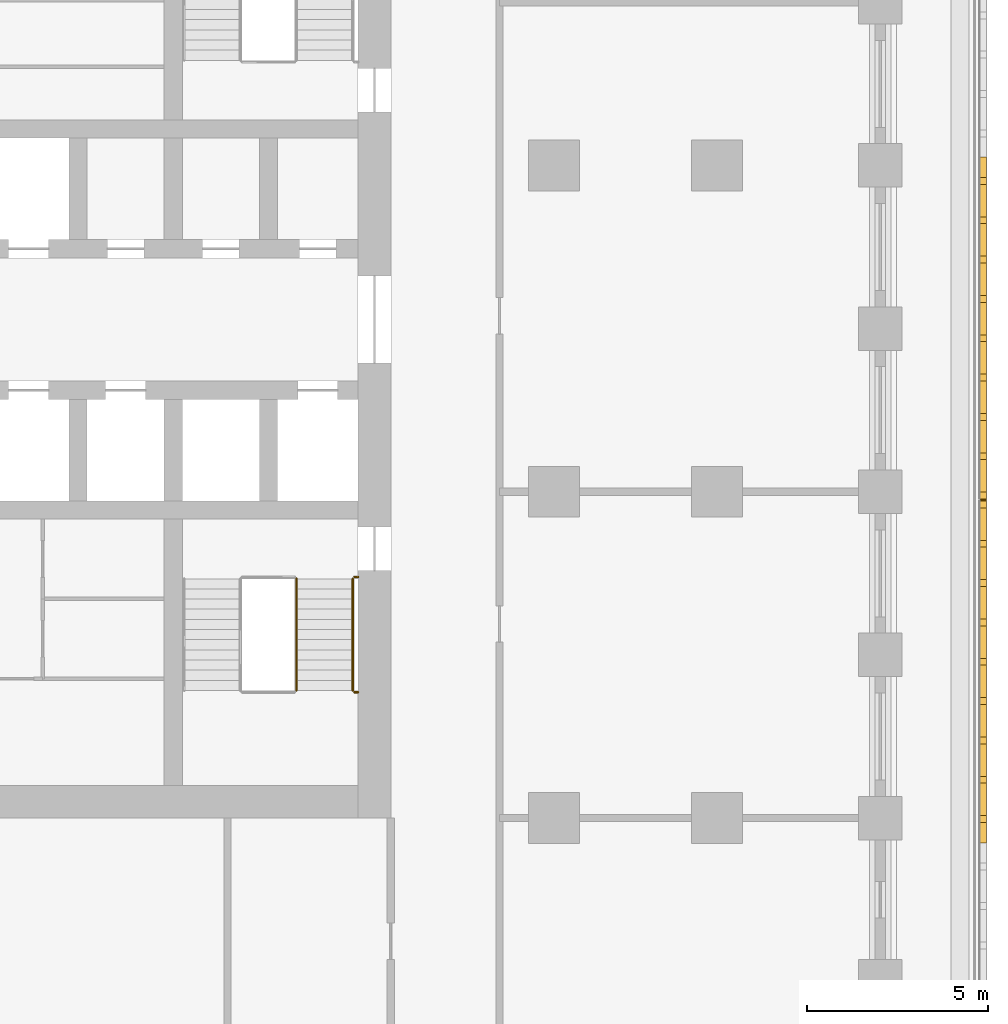
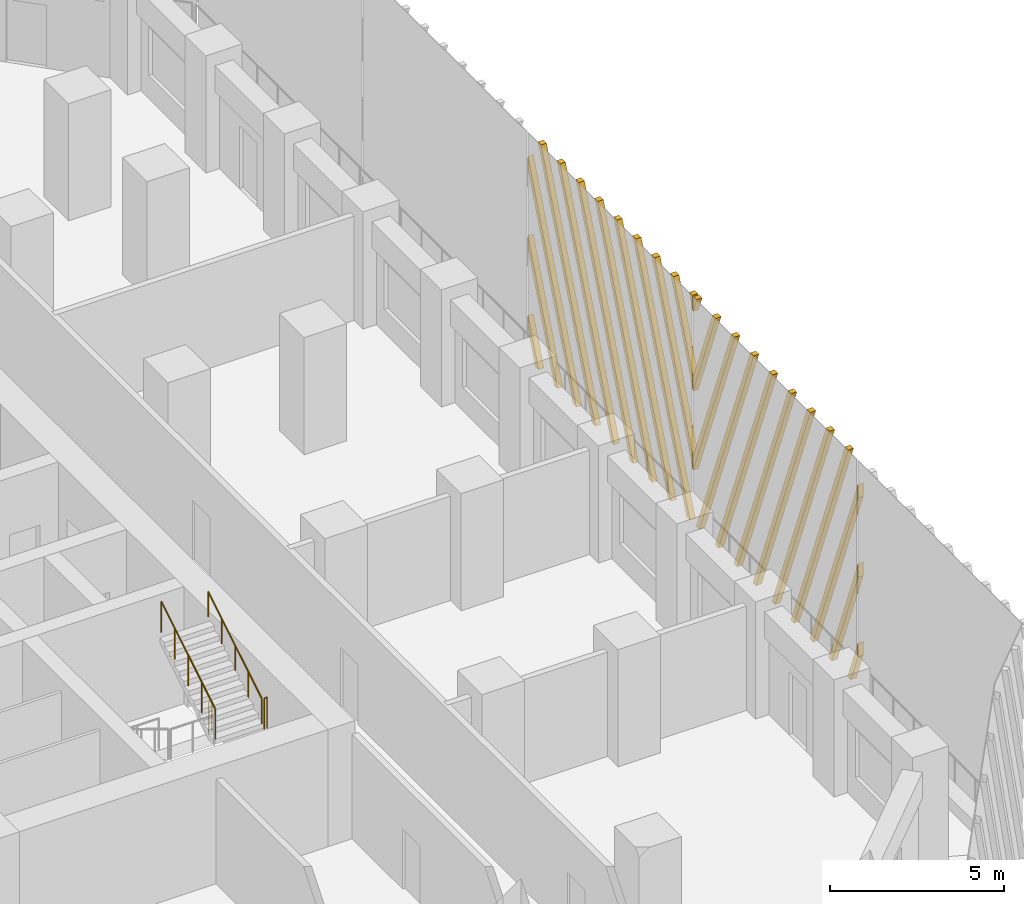
# One storey, part 13 of 19: 4 railings, 2 shading devices.
"""IFC4 building model written with IfcOpenShell, lengths in metres."""

import ifcopenshell
import ifcopenshell.guid

model = None  # the IFC model being written
_history = None  # IfcOwnerHistory: only IFC2X3 demands one
_inside = {}  # id of a spatial element -> (the spatial element, [elements in it])
_under = {}  # id of a project, library or spatial element -> (it, [spatial elements below it])
_declared = {}  # id of a project -> (the project, [libraries it declares])
_typed = {}  # id of a type object -> (the type object, [elements of that type])
_made_of = {}  # id of a material, layer set ... -> (it, [elements and type objects made of it])


def new_model(schema):
    """Start an empty IFC model of exactly this schema.

    Asked for "IFC4X3", IfcOpenShell would pick the latest addendum, in which some entities
    have other attributes; the version numbers below select the first issue.
    IFC2X3 requires an IfcOwnerHistory on every rooted entity: one is made here for all.
    """
    global model, _history
    if schema == "IFC4X3":
        model = ifcopenshell.file(schema_version=(4, 3, 0, 0))
    else:
        model = ifcopenshell.file(schema=schema)
    _inside.clear()
    _under.clear()
    _declared.clear()
    _typed.clear()
    _made_of.clear()
    _history = None
    if model.schema == "IFC2X3":
        org = make("IfcOrganization", Name="unknown")
        user = make(
            "IfcPersonAndOrganization",
            ThePerson=make("IfcPerson", FamilyName="unknown"),
            TheOrganization=org,
        )
        app = make(
            "IfcApplication",
            ApplicationDeveloper=org,
            Version="unknown",
            ApplicationFullName="unknown",
            ApplicationIdentifier="unknown",
        )
        _history = make(
            "IfcOwnerHistory",
            OwningUser=user,
            OwningApplication=app,
            ChangeAction="ADDED",
            CreationDate=0,
        )
    return model


def make(cls, **values):
    """One entity of the class cls with the attributes given. An attribute that is None is left unset."""
    return model.create_entity(
        cls, **{name: value for name, value in values.items() if value is not None}
    )


def rooted(cls, **values):
    """An entity with a GlobalId (a new one), such as an element, a storey or a relation."""
    return make(cls, GlobalId=ifcopenshell.guid.new(), OwnerHistory=_history, **values)


def si_unit(unit_type, name, prefix=None):
    """IfcSIUnit, for example si_unit("LENGTHUNIT", "METRE", prefix="MILLI")."""
    return make("IfcSIUnit", UnitType=unit_type, Prefix=prefix, Name=name)


def assignment(units):
    """IfcUnitAssignment: the units of a project."""
    return None if units is None else make("IfcUnitAssignment", Units=units)


def point(xyz):
    """IfcCartesianPoint."""
    return None if xyz is None else make("IfcCartesianPoint", Coordinates=xyz)


def direction(xyz):
    """IfcDirection."""
    return None if xyz is None else make("IfcDirection", DirectionRatios=xyz)


def frame(location, z_axis=None, x_axis=None):
    """IfcAxis2Placement3D, a coordinate frame: its origin and axes. An axis left out is left unset."""
    return make(
        "IfcAxis2Placement3D",
        Location=point(location),
        Axis=direction(z_axis),
        RefDirection=direction(x_axis),
    )


def frame_2d(location, x_axis=None):
    """IfcAxis2Placement2D, a coordinate frame in the plane: its origin and x axis."""
    return make(
        "IfcAxis2Placement2D", Location=point(location), RefDirection=direction(x_axis)
    )


def origin():
    """The frame at (0, 0, 0) with its axes left unset."""
    return frame((0.0, 0.0, 0.0))


def origin_2d():
    """The frame at (0, 0) in the plane with its x axis left unset."""
    return frame_2d((0.0, 0.0))


def place(relative_to, where):
    """IfcLocalPlacement: puts the frame where relative to a parent placement (None: the world)."""
    return make(
        "IfcLocalPlacement", PlacementRelTo=relative_to, RelativePlacement=where
    )


def context(
    kind, dimensions, precision=None, world=None, true_north=None, identifier=None
):
    """IfcGeometricRepresentationContext, for example the 3D "Model" context."""
    return make(
        "IfcGeometricRepresentationContext",
        ContextIdentifier=identifier,
        ContextType=kind,
        CoordinateSpaceDimension=dimensions,
        Precision=precision,
        WorldCoordinateSystem=world,
        TrueNorth=true_north,
    )


def subcontext(parent, identifier, kind, view, scale=None):
    """IfcGeometricRepresentationSubContext, for example "Body" below "Model"."""
    return make(
        "IfcGeometricRepresentationSubContext",
        ContextIdentifier=identifier,
        ContextType=kind,
        ParentContext=parent,
        TargetScale=scale,
        TargetView=view,
    )


def project(units=None, contexts=None):
    """IfcProject with its units and contexts."""
    return rooted(
        "IfcProject",
        Name="project",
        RepresentationContexts=contexts,
        UnitsInContext=assignment(units),
    )


def spatial(cls, under=None, at=None, **own):
    """A site, building, storey or space (cls), placed at a placement, below another one or the project."""
    s = rooted(cls, ObjectPlacement=at, **own)
    if under is not None:
        _under.setdefault(under.id(), (under, []))[1].append(s)
    return s


def polyline(points):
    """IfcPolyline through the points."""
    return make("IfcPolyline", Points=[point(p) for p in points])


def profile(cls, at=None, kind="AREA", **sizes):
    """A parametric profile (cls). Its sizes go by their IFC names, for example OverallWidth=200.0."""
    return make(cls, ProfileType=kind, Position=at, **sizes)


def circle(**sizes):
    """IfcCircleProfileDef."""
    return profile("IfcCircleProfileDef", **sizes)


def outline(outer, holes=None, kind="AREA"):
    """IfcArbitraryClosedProfileDef: a profile drawn as a closed curve; with holes, ...WithVoids."""
    if holes is None:
        return make("IfcArbitraryClosedProfileDef", ProfileType=kind, OuterCurve=outer)
    return make(
        "IfcArbitraryProfileDefWithVoids",
        ProfileType=kind,
        OuterCurve=outer,
        InnerCurves=holes,
    )


def extrude(swept, where, along, depth):
    """IfcExtrudedAreaSolid: the profile swept, set in the frame where, extruded along a direction by depth."""
    return make(
        "IfcExtrudedAreaSolid",
        SweptArea=swept,
        Position=where,
        ExtrudedDirection=direction(along),
        Depth=depth,
    )


def shape(context_of_items, identifier, shape_type, items):
    """IfcShapeRepresentation: the items that make up one representation, for example the "Body"."""
    return make(
        "IfcShapeRepresentation",
        ContextOfItems=context_of_items,
        RepresentationIdentifier=identifier,
        RepresentationType=shape_type,
        Items=items,
    )


def source(mapping_origin, context_of_items, identifier, shape_type, items):
    """IfcRepresentationMap: a shape defined once, which mapped items show again and again."""
    return make(
        "IfcRepresentationMap",
        MappingOrigin=mapping_origin,
        MappedRepresentation=shape(context_of_items, identifier, shape_type, items),
    )


def transform(
    local_origin,
    x_axis=None,
    y_axis=None,
    z_axis=None,
    scale=None,
    scale2=None,
    scale3=None,
    uniform=True,
):
    """IfcCartesianTransformationOperator3D, or its non-uniform kind. x_axis, y_axis, z_axis: its Axis1, 2, 3."""
    if uniform:
        return make(
            "IfcCartesianTransformationOperator3D",
            Axis1=direction(x_axis),
            Axis2=direction(y_axis),
            LocalOrigin=point(local_origin),
            Scale=scale,
            Axis3=direction(z_axis),
        )
    return make(
        "IfcCartesianTransformationOperator3DnonUniform",
        Axis1=direction(x_axis),
        Axis2=direction(y_axis),
        LocalOrigin=point(local_origin),
        Scale=scale,
        Axis3=direction(z_axis),
        Scale2=scale2,
        Scale3=scale3,
    )


def mapped(mapping_source, mapping_target):
    """IfcMappedItem: shows the shape of a source again, moved by a transform."""
    return make(
        "IfcMappedItem", MappingSource=mapping_source, MappingTarget=mapping_target
    )


def material(Name=None, Category=None):
    """IfcMaterial."""
    return make("IfcMaterial", Name=Name, Category=Category)


def made_of(thing, what):
    """Note that an element or type object is made of a material, layer set ...; save() writes the relation."""
    if what is not None:
        _made_of.setdefault(what.id(), (what, []))[1].append(thing)
    return thing


def type_object(cls, material=None, **own):
    """A type object (cls), such as IfcWallType, which elements share."""
    return made_of(rooted(cls, **own), material)


def element(
    cls,
    number,
    at=None,
    inside=None,
    cuts=None,
    type_object=None,
    material=None,
    context=None,
    identifier="Body",
    shape_type=None,
    held_by="IfcProductDefinitionShape",
    body=None,
    shapes=None,
    **own,
):
    """One element of the class cls, such as IfcWall. Its Tag is "e" and its number.

    at: its placement. inside: the storey or other place that contains it. cuts: it is an
    opening in that element (IfcRelVoidsElement). A single representation is given by context,
    identifier, shape_type and body (its items); several are given by shapes. held_by: the class
    of the entity that holds the representations. save() writes the other relations.
    """
    e = rooted(cls, Tag="e%d" % number, ObjectPlacement=at, **own)
    if body is not None:
        shapes = [shape(context, identifier, shape_type, body)]
    if shapes is not None:
        e.Representation = make(held_by, Representations=shapes)
    if inside is not None:
        _inside.setdefault(inside.id(), (inside, []))[1].append(e)
    if cuts is not None:
        rooted(
            "IfcRelVoidsElement", RelatingBuildingElement=cuts, RelatedOpeningElement=e
        )
    if type_object is not None:
        _typed.setdefault(type_object.id(), (type_object, []))[1].append(e)
    return made_of(e, material)


def aggregate(whole, parts):
    """IfcRelAggregates: a whole, such as a stair, and the parts it consists of."""
    return rooted("IfcRelAggregates", RelatingObject=whole, RelatedObjects=parts)


def save(model, path):
    """Write the relations noted so far, then the file.

    IfcRelAggregates (storeys below a building ...), IfcRelContainedInSpatialStructure (elements
    in a storey), IfcRelDefinesByType, IfcRelAssociatesMaterial and IfcRelDeclares: one each for
    every whole, place, type object, material and project.
    """
    for whole, parts in _under.values():
        aggregate(whole, parts)
    for where, things in _inside.values():
        rooted(
            "IfcRelContainedInSpatialStructure",
            RelatedElements=things,
            RelatingStructure=where,
        )
    for kind, things in _typed.values():
        rooted("IfcRelDefinesByType", RelatedObjects=things, RelatingType=kind)
    for what, things in _made_of.values():
        rooted("IfcRelAssociatesMaterial", RelatedObjects=things, RelatingMaterial=what)
    for by, libraries in _declared.values():
        rooted("IfcRelDeclares", RelatingContext=by, RelatedDefinitions=libraries)
    model.write(path)


model = new_model("IFC4")

# Units and contexts
model_context = context("Model", 3, precision=1e-05, world=origin(), true_north=direction((0.0, 1.0)))
body_context = subcontext(model_context, "Body", "Model", "MODEL_VIEW")
ifc_project = project(units=[si_unit("LENGTHUNIT", "METRE"), si_unit("AREAUNIT", "SQUARE_METRE"), si_unit("VOLUMEUNIT", "CUBIC_METRE"), si_unit("PLANEANGLEUNIT", "RADIAN"), si_unit("MASSUNIT", "GRAM", prefix="KILO")], contexts=[model_context])

# Site, building, storey
site_placement = place(None, origin())
site = spatial("IfcSite", under=ifc_project, at=site_placement, CompositionType="ELEMENT")
building_placement = place(site_placement, origin())
building = spatial("IfcBuilding", under=site, at=building_placement, Name="Corbel Stack Research Tower", CompositionType="ELEMENT")
storey_placement = place(building_placement, frame((0.0, 0.0, 82.0)))
storey = spatial("IfcBuildingStorey", under=building, at=storey_placement, Name="L18", CompositionType="ELEMENT", Elevation=82.0)

# Railings
ifc_material_1 = material(Name="Steel S355", Category="steel")
railing_type_1 = type_object("IfcRailingType", Name="Stair guard 1100", PredefinedType="GUARDRAIL", material=ifc_material_1)
railing_1_placement = place(storey_placement, frame((17.0, -5.530029296875, 2.050048828125)))
element("IfcRailing", 1, at=railing_1_placement, inside=storey, type_object=railing_type_1, Name="L18 ST-E1 stair guard 3", PredefinedType="GUARDRAIL", context=body_context, shape_type="SweptSolid", body=[
    extrude(circle(Radius=0.02392578125, at=origin_2d()), frame((0.0, 0.0, 1.076171875), z_axis=(1.0, 0.0, 0.0), x_axis=(0.0, 1.0, 0.0)), (0.0, 0.0, 1.0), 0.10009765625),
    extrude(circle(Radius=0.02099609375, at=origin_2d()), origin(), (0.0, 0.0, 1.0), 1.052001953125),
    extrude(circle(Radius=0.02099609375, at=origin_2d()), frame((0.10009765625, 0.0, 0.0)), (0.0, 0.0, 1.0), 1.052001953125),
])
railing_2_placement = place(storey_placement, frame((15.39990234375, -5.47998046875, 2.220947265625)))
element("IfcRailing", 2, at=railing_2_placement, inside=storey, type_object=railing_type_1, Name="L18 ST-E1 stair guard 4", PredefinedType="GUARDRAIL", context=body_context, shape_type="SweptSolid", body=[
    extrude(circle(Radius=0.02392578125, at=origin_2d()), frame((0.0, 0.0, 1.076171875), z_axis=(0.0, 0.853666305674, 0.52082035152), x_axis=(-1.0, 0.0, 0.0)), (0.0, 0.0, 1.0), 3.608154296875),
    extrude(circle(Radius=0.02099609375, at=origin_2d()), origin(), (0.0, 0.0, 1.0), 1.052001953125),
    extrude(circle(Radius=0.02099609375, at=origin_2d()), frame((0.0, 0.77001953125, 0.4697265625)), (0.0, 0.0, 1.0), 1.052001953125),
    extrude(circle(Radius=0.02099609375, at=origin_2d()), frame((0.0, 1.5400390625, 0.939453125)), (0.0, 0.0, 1.0), 1.052001953125),
    extrude(circle(Radius=0.02099609375, at=origin_2d()), frame((0.0, 2.31005859375, 1.409423828125)), (0.0, 0.0, 1.0), 1.052001953125),
    extrude(circle(Radius=0.02099609375, at=origin_2d()), frame((0.0, 3.080078125, 1.879150390625)), (0.0, 0.0, 1.0), 1.052001953125),
])
railing_3_placement = place(storey_placement, frame((17.0, -2.35009765625, 0.0)))
element("IfcRailing", 3, at=railing_3_placement, inside=storey, type_object=railing_type_1, Name="L18 ST-E1 stair guard 6", PredefinedType="GUARDRAIL", context=body_context, shape_type="SweptSolid", body=[
    extrude(circle(Radius=0.02392578125, at=origin_2d()), frame((0.0, 0.0, 1.076171875), z_axis=(1.0, 0.0, 0.0), x_axis=(0.0, 1.0, 0.0)), (0.0, 0.0, 1.0), 0.10009765625),
    extrude(circle(Radius=0.02099609375, at=origin_2d()), origin(), (0.0, 0.0, 1.0), 1.052001953125),
    extrude(circle(Radius=0.02099609375, at=origin_2d()), frame((0.10009765625, 0.0, 0.0)), (0.0, 0.0, 1.0), 1.052001953125),
])
ifc_material_2 = material(Name="Steel S355", Category="steel")
railing_type_2 = type_object("IfcRailingType", Name="Stair handrail 900", PredefinedType="HANDRAIL", material=ifc_material_2)
railing_4_placement = place(storey_placement, frame((16.949951171875, -5.47998046875, 2.220947265625)))
element("IfcRailing", 4, at=railing_4_placement, inside=storey, type_object=railing_type_2, Name="L18 ST-E1 stair handrail 2", PredefinedType="HANDRAIL", context=body_context, shape_type="SweptSolid", body=[
    extrude(circle(Radius=0.02392578125, at=origin_2d()), frame((0.0, 0.0, 0.8759765625), z_axis=(0.0, 0.853666305674, 0.52082035152), x_axis=(-1.0, 0.0, 0.0)), (0.0, 0.0, 1.0), 3.608154296875),
    extrude(circle(Radius=0.02099609375, at=origin_2d()), origin(), (0.0, 0.0, 1.0), 0.851806640625),
    extrude(circle(Radius=0.02099609375, at=origin_2d()), frame((0.0, 0.77001953125, 0.4697265625)), (0.0, 0.0, 1.0), 0.851806640625),
    extrude(circle(Radius=0.02099609375, at=origin_2d()), frame((0.0, 1.5400390625, 0.939453125)), (0.0, 0.0, 1.0), 0.851806640625),
    extrude(circle(Radius=0.02099609375, at=origin_2d()), frame((0.0, 2.31005859375, 1.409423828125)), (0.0, 0.0, 1.0), 0.851806640625),
    extrude(circle(Radius=0.02099609375, at=origin_2d()), frame((0.0, 3.080078125, 1.879150390625)), (0.0, 0.0, 1.0), 0.851806640625),
])

# Shading devices
ifc_material_3 = material(Name="Precast terracotta", Category="masonry")
shading_device_type = type_object("IfcShadingDeviceType", Name="Terracotta screen panel", PredefinedType="USERDEFINED", material=ifc_material_3)
shared_shape_1 = source(origin(), body_context, "Body", "SweptSolid", [
    extrude(outline(polyline([(0.217041015625, 7.949951171875), (0.027099609375, 7.949951171875), (0.0, 7.880859375), (0.0, 7.394287109375), (0.217041015625, 7.949951171875)])), frame((0.0, 0.0, 0.0), z_axis=(0.0, -1.0, 0.0), x_axis=(1.0, 0.0, 0.0)), (0.0, 0.0, 1.0), 0.179931640625),
    extrude(outline(polyline([(1.3017578125, 7.949951171875), (1.11181640625, 7.949951171875), (0.0, 5.103515625), (0.0, 4.616943359375), (1.3017578125, 7.949951171875)])), frame((0.0, 0.0, 0.0), z_axis=(0.0, -1.0, 0.0), x_axis=(1.0, 0.0, 0.0)), (0.0, 0.0, 1.0), 0.179931640625),
    extrude(outline(polyline([(2.386474609375, 7.949951171875), (2.1962890625, 7.949951171875), (0.0, 2.326171875), (0.0, 1.839599609375), (2.386474609375, 7.949951171875)])), frame((0.0, 0.0, 0.0), z_axis=(0.0, -1.0, 0.0), x_axis=(1.0, 0.0, 0.0)), (0.0, 0.0, 1.0), 0.179931640625),
    extrude(outline(polyline([(0.3662109375, 0.0), (3.470947265625, 7.949951171875), (3.281005859375, 7.949951171875), (0.17626953125, 0.0), (0.3662109375, 0.0)])), frame((0.0, 0.0, 0.0), z_axis=(0.0, -1.0, 0.0), x_axis=(1.0, 0.0, 0.0)), (0.0, 0.0, 1.0), 0.179931640625),
    extrude(outline(polyline([(1.45068359375, 0.0), (4.5556640625, 7.949951171875), (4.36572265625, 7.949951171875), (1.2607421875, 0.0), (1.45068359375, 0.0)])), frame((0.0, 0.0, 0.0), z_axis=(0.0, -1.0, 0.0), x_axis=(1.0, 0.0, 0.0)), (0.0, 0.0, 1.0), 0.179931640625),
    extrude(outline(polyline([(2.535400390625, 0.0), (5.640380859375, 7.949951171875), (5.4501953125, 7.949951171875), (2.345458984375, 0.0), (2.535400390625, 0.0)])), frame((0.0, 0.0, 0.0), z_axis=(0.0, -1.0, 0.0), x_axis=(1.0, 0.0, 0.0)), (0.0, 0.0, 1.0), 0.179931640625),
    extrude(outline(polyline([(3.6201171875, 0.0), (6.72509765625, 7.949951171875), (6.534912109375, 7.949951171875), (3.43017578125, 0.0), (3.6201171875, 0.0)])), frame((0.0, 0.0, 0.0), z_axis=(0.0, -1.0, 0.0), x_axis=(1.0, 0.0, 0.0)), (0.0, 0.0, 1.0), 0.179931640625),
    extrude(outline(polyline([(4.704833984375, 0.0), (7.809814453125, 7.949951171875), (7.61962890625, 7.949951171875), (4.514892578125, 0.0), (4.704833984375, 0.0)])), frame((0.0, 0.0, 0.0), z_axis=(0.0, -1.0, 0.0), x_axis=(1.0, 0.0, 0.0)), (0.0, 0.0, 1.0), 0.179931640625),
    extrude(outline(polyline([(5.78955078125, 0.0), (8.894287109375, 7.949951171875), (8.704345703125, 7.949951171875), (5.599609375, 0.0), (5.78955078125, 0.0)])), frame((0.0, 0.0, 0.0), z_axis=(0.0, -1.0, 0.0), x_axis=(1.0, 0.0, 0.0)), (0.0, 0.0, 1.0), 0.179931640625),
    extrude(outline(polyline([(6.874267578125, 0.0), (9.45556640625, 6.60986328125), (9.45556640625, 7.096435546875), (6.68408203125, 0.0), (6.874267578125, 0.0)])), frame((0.0, 0.0, 0.0), z_axis=(0.0, -1.0, 0.0), x_axis=(1.0, 0.0, 0.0)), (0.0, 0.0, 1.0), 0.179931640625),
    extrude(outline(polyline([(7.958740234375, 0.0), (9.45556640625, 3.83251953125), (9.45556640625, 4.319091796875), (7.768798828125, 0.0), (7.958740234375, 0.0)])), frame((0.0, 0.0, 0.0), z_axis=(0.0, -1.0, 0.0), x_axis=(1.0, 0.0, 0.0)), (0.0, 0.0, 1.0), 0.179931640625),
    extrude(outline(polyline([(9.04345703125, 0.0), (9.45556640625, 1.055419921875), (9.45556640625, 1.541748046875), (8.853515625, 0.0), (9.04345703125, 0.0)])), frame((0.0, 0.0, 0.0), z_axis=(0.0, -1.0, 0.0), x_axis=(1.0, 0.0, 0.0)), (0.0, 0.0, 1.0), 0.179931640625),
])
shading_device_1_placement = place(storey_placement, frame((34.25, -0.227783203125, 0.0), z_axis=(0.0, 0.0, 1.0), x_axis=(0.0, 1.0, 0.0)))
element("IfcShadingDevice", 5, at=shading_device_1_placement, inside=storey, type_object=shading_device_type, Name="Terracotta screen L18 E3", ObjectType="SCREEN", PredefinedType="USERDEFINED", context=body_context, shape_type="MappedRepresentation", body=[
    mapped(shared_shape_1, transform((0.0, 0.0, 0.0))),
])
shared_shape_2 = source(origin(), body_context, "Body", "SweptSolid", [
    extrude(outline(polyline([(0.60205078125, 0.0), (0.0, 1.541748046875), (0.0, 1.055419921875), (0.412109375, 0.0), (0.60205078125, 0.0)])), frame((0.0, 0.0, 0.0), z_axis=(0.0, -1.0, 0.0), x_axis=(1.0, 0.0, 0.0)), (0.0, 0.0, 1.0), 0.179931640625),
    extrude(outline(polyline([(1.686767578125, 0.0), (0.0, 4.319091796875), (0.0, 3.83251953125), (1.496826171875, 0.0), (1.686767578125, 0.0)])), frame((0.0, 0.0, 0.0), z_axis=(0.0, -1.0, 0.0), x_axis=(1.0, 0.0, 0.0)), (0.0, 0.0, 1.0), 0.179931640625),
    extrude(outline(polyline([(2.771484375, 0.0), (0.0, 7.096435546875), (0.0, 6.60986328125), (2.58154296875, 0.0), (2.771484375, 0.0)])), frame((0.0, 0.0, 0.0), z_axis=(0.0, -1.0, 0.0), x_axis=(1.0, 0.0, 0.0)), (0.0, 0.0, 1.0), 0.179931640625),
    extrude(outline(polyline([(3.856201171875, 0.0), (0.751220703125, 7.949951171875), (0.561279296875, 7.949951171875), (3.666015625, 0.0), (3.856201171875, 0.0)])), frame((0.0, 0.0, 0.0), z_axis=(0.0, -1.0, 0.0), x_axis=(1.0, 0.0, 0.0)), (0.0, 0.0, 1.0), 0.179931640625),
    extrude(outline(polyline([(4.94091796875, 0.0), (1.8359375, 7.949951171875), (1.64599609375, 7.949951171875), (4.750732421875, 0.0), (4.94091796875, 0.0)])), frame((0.0, 0.0, 0.0), z_axis=(0.0, -1.0, 0.0), x_axis=(1.0, 0.0, 0.0)), (0.0, 0.0, 1.0), 0.179931640625),
    extrude(outline(polyline([(6.025390625, 0.0), (2.920654296875, 7.949951171875), (2.730712890625, 7.949951171875), (5.83544921875, 0.0), (6.025390625, 0.0)])), frame((0.0, 0.0, 0.0), z_axis=(0.0, -1.0, 0.0), x_axis=(1.0, 0.0, 0.0)), (0.0, 0.0, 1.0), 0.179931640625),
    extrude(outline(polyline([(7.110107421875, 0.0), (4.00537109375, 7.949951171875), (3.815185546875, 7.949951171875), (6.920166015625, 0.0), (7.110107421875, 0.0)])), frame((0.0, 0.0, 0.0), z_axis=(0.0, -1.0, 0.0), x_axis=(1.0, 0.0, 0.0)), (0.0, 0.0, 1.0), 0.179931640625),
    extrude(outline(polyline([(8.19482421875, 0.0), (5.090087890625, 7.949951171875), (4.89990234375, 7.949951171875), (8.0048828125, 0.0), (8.19482421875, 0.0)])), frame((0.0, 0.0, 0.0), z_axis=(0.0, -1.0, 0.0), x_axis=(1.0, 0.0, 0.0)), (0.0, 0.0, 1.0), 0.179931640625),
    extrude(outline(polyline([(9.279541015625, 0.0), (6.174560546875, 7.949951171875), (5.984619140625, 7.949951171875), (9.089599609375, 0.0), (9.279541015625, 0.0)])), frame((0.0, 0.0, 0.0), z_axis=(0.0, -1.0, 0.0), x_axis=(1.0, 0.0, 0.0)), (0.0, 0.0, 1.0), 0.179931640625),
    extrude(outline(polyline([(7.25927734375, 7.949951171875), (7.0693359375, 7.949951171875), (9.45556640625, 1.839599609375), (9.45556640625, 2.326171875), (7.25927734375, 7.949951171875)])), frame((0.0, 0.0, 0.0), z_axis=(0.0, -1.0, 0.0), x_axis=(1.0, 0.0, 0.0)), (0.0, 0.0, 1.0), 0.179931640625),
    extrude(outline(polyline([(8.343994140625, 7.949951171875), (8.15380859375, 7.949951171875), (9.45556640625, 4.616943359375), (9.45556640625, 5.103515625), (8.343994140625, 7.949951171875)])), frame((0.0, 0.0, 0.0), z_axis=(0.0, -1.0, 0.0), x_axis=(1.0, 0.0, 0.0)), (0.0, 0.0, 1.0), 0.179931640625),
    extrude(outline(polyline([(9.4287109375, 7.949951171875), (9.238525390625, 7.949951171875), (9.45556640625, 7.394287109375), (9.45556640625, 7.880859375), (9.4287109375, 7.949951171875)])), frame((0.0, 0.0, 0.0), z_axis=(0.0, -1.0, 0.0), x_axis=(1.0, 0.0, 0.0)), (0.0, 0.0, 1.0), 0.179931640625),
])
shading_device_2_placement = place(storey_placement, frame((34.25, -9.68359375, 0.0), z_axis=(0.0, 0.0, 1.0), x_axis=(0.0, 1.0, 0.0)))
element("IfcShadingDevice", 6, at=shading_device_2_placement, inside=storey, type_object=shading_device_type, Name="Terracotta screen L18 E2", ObjectType="SCREEN", PredefinedType="USERDEFINED", context=body_context, shape_type="MappedRepresentation", body=[
    mapped(shared_shape_2, transform((0.0, 0.0, 0.0))),
])

save(model, "model.ifc")
